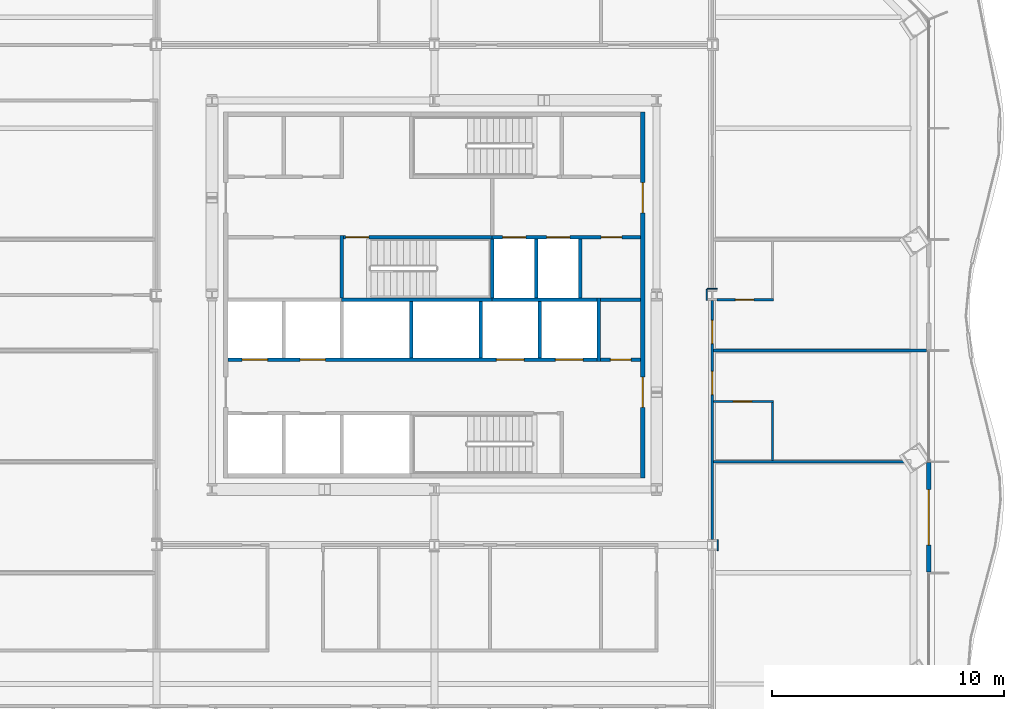
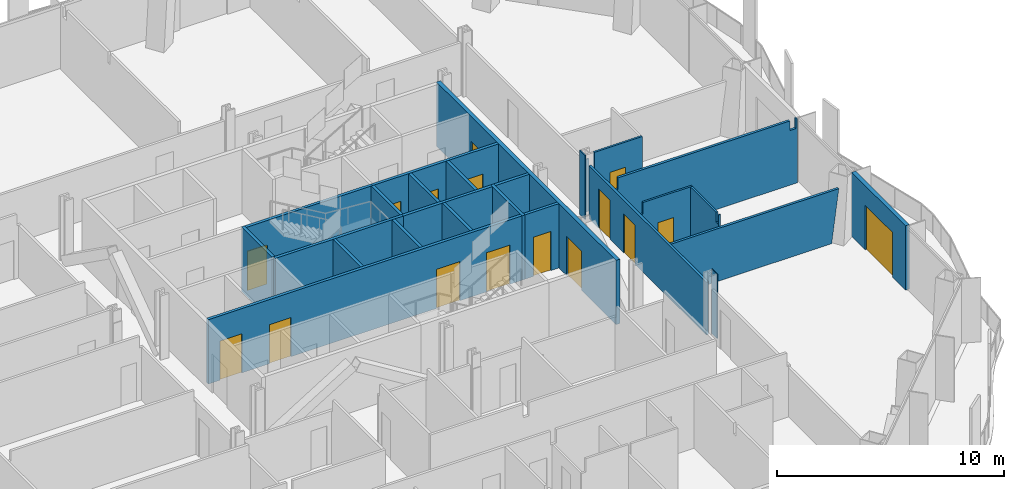
# One storey, part 10 of 20: 26 walls, 16 doors, 16 openings.
"""IFC4 building model written with IfcOpenShell, lengths in metres."""

from ifc_helpers import new_model, si_unit, direction, frame, frame_2d, origin, place, context, subcontext, project, spatial, polyline, rectangle, outline, extrude, material, layer, layer_set, type_object, element, fill, save


model = new_model("IFC4")

# Units and contexts
model_context = context("Model", 3, precision=1e-05, world=origin(), true_north=direction((0.0, 1.0)))
body_context = subcontext(model_context, "Body", "Model", "MODEL_VIEW")
ifc_project = project(units=[si_unit("LENGTHUNIT", "METRE"), si_unit("AREAUNIT", "SQUARE_METRE"), si_unit("VOLUMEUNIT", "CUBIC_METRE"), si_unit("PLANEANGLEUNIT", "RADIAN"), si_unit("MASSUNIT", "GRAM", prefix="KILO")], contexts=[model_context])

# Site, building, storey
site_placement = place(None, origin())
site = spatial("IfcSite", under=ifc_project, at=site_placement, CompositionType="ELEMENT")
building_placement = place(site_placement, origin())
building = spatial("IfcBuilding", under=site, at=building_placement, Name="Cairn Pilgrim Tower", CompositionType="ELEMENT")
storey_placement = place(building_placement, frame((0.0, 0.0, 87.0)))
storey = spatial("IfcBuildingStorey", under=building, at=storey_placement, Name="L20", CompositionType="ELEMENT", Elevation=87.0)

# Wall, opening, door
ifc_material_1 = material(Name="Bronze anodised aluminium insulated sandwich panel with mineral wool fill", Category="aluminium")
ifc_layer_1 = layer(ifc_material_1, 0.199951171875)
ifc_layer_set_1 = layer_set([ifc_layer_1], Name="BRONZE INFILL FRAME WALL 200")
wall_type_1 = type_object("IfcWallType", Name="BRONZE INFILL FRAME WALL 200", PredefinedType="NOTDEFINED", material=ifc_layer_set_1)
wall_1_placement = place(storey_placement, frame((28.550048828125, -9.570068359375, 0.0), z_axis=(0.0, 0.0, 1.0), x_axis=(0.0, 1.0, 0.0)))
wall_1 = element("IfcWall", 1, at=wall_1_placement, inside=storey, type_object=wall_type_1, Name="Bronze infill frame wall IW-E2", PredefinedType="NOTDEFINED", context=body_context, shape_type="SweptSolid", body=[
    extrude(rectangle(XDim=4.739990234375, YDim=0.199951171875, at=frame_2d((2.3701171875, 0.0))), origin(), (0.0, 0.0, 1.0), 3.449951171875),
])
opening_1_placement = place(wall_1_placement, frame((1.169677734375, 0.0, 0.0)))
opening_1 = element("IfcOpeningElement", 2, at=opening_1_placement, cuts=wall_1, Name="Opening 2020B", PredefinedType="OPENING", context=body_context, shape_type="SweptSolid", body=[
    extrude(rectangle(XDim=2.39990234375, YDim=2.39990234375, at=frame_2d((1.199951171875, 1.199951171875))), frame((0.0, 0.10986328125, 0.0), z_axis=(0.0, -1.0, 0.0), x_axis=(1.0, 0.0, 0.0)), (0.0, 0.0, 1.0), 0.219970703125),
])
ifc_material_2 = material(Name="Bronze anodised aluminium frame with tinted low-E glass", Category="aluminium")
door_type_1 = type_object("IfcDoorType", Name="BALCONY SLIDING DOOR 2400x2400", OperationType="DOUBLE_DOOR_SLIDING", PredefinedType="DOOR", material=ifc_material_2)
door_1_placement = place(opening_1_placement, origin())
door_1 = element("IfcDoor", 3, at=door_1_placement, inside=storey, type_object=door_type_1, Name="Balcony sliding door 2020B", OperationType="SINGLE_SWING_LEFT", OverallHeight=2.39990234375, OverallWidth=2.39990234375, PredefinedType="DOOR", context=body_context, shape_type="SweptSolid", body=[
    extrude(rectangle(XDim=2.39990234375, YDim=2.39990234375, at=frame_2d((1.199951171875, 1.199951171875))), frame((0.0, 0.02490234375, 0.0), z_axis=(0.0, -1.0, 0.0), x_axis=(1.0, 0.0, 0.0)), (0.0, 0.0, 1.0), 0.050048828125),
])
fill(opening_1, door_1)

# Wall, openings, doors
ifc_material_3 = material(Name="Concrete C32/40", Category="concrete")
ifc_layer_2 = layer(ifc_material_3, 0.199951171875)
ifc_layer_set_2 = layer_set([ifc_layer_2], Name="CORE OUTER WALL 200 EI 120")
wall_type_2 = type_object("IfcWallType", Name="CORE OUTER WALL 200 EI 120", PredefinedType="SOLIDWALL", material=ifc_layer_set_2)
wall_2_placement = place(storey_placement, frame((16.199951171875, -5.5, 0.0), z_axis=(0.0, 0.0, 1.0), x_axis=(0.0, 1.0, 0.0)))
wall_2 = element("IfcWall", 4, at=wall_2_placement, inside=storey, type_object=wall_type_2, Name="CW:L20:V32", PredefinedType="SOLIDWALL", context=body_context, shape_type="SweptSolid", body=[
    extrude(rectangle(XDim=15.800048828125, YDim=0.199951171875, at=frame_2d((7.89990234375, 0.0))), origin(), (0.0, 0.0, 1.0), 3.449951171875),
])
opening_2_placement = place(wall_2_placement, frame((3.050048828125, 0.0, 0.0)))
opening_2 = element("IfcOpeningElement", 5, at=opening_2_placement, cuts=wall_2, Name="Opening CD-E1", PredefinedType="OPENING", context=body_context, shape_type="SweptSolid", body=[
    extrude(rectangle(XDim=1.300048828125, YDim=2.10009765625, at=frame_2d((0.64990234375, 1.050048828125))), frame((0.0, 0.10986328125, 0.0), z_axis=(0.0, -1.0, 0.0), x_axis=(1.0, 0.0, 0.0)), (0.0, 0.0, 1.0), 0.219970703125),
])
opening_3_placement = place(wall_2_placement, frame((11.449951171875, 0.0, 0.0)))
opening_3 = element("IfcOpeningElement", 6, at=opening_3_placement, cuts=wall_2, Name="Opening CD-E2", PredefinedType="OPENING", context=body_context, shape_type="SweptSolid", body=[
    extrude(rectangle(XDim=1.300048828125, YDim=2.10009765625, at=frame_2d((0.64990234375, 1.050048828125))), frame((0.0, 0.10986328125, 0.0), z_axis=(0.0, -1.0, 0.0), x_axis=(1.0, 0.0, 0.0)), (0.0, 0.0, 1.0), 0.219970703125),
])
ifc_material_4 = material(Name="Painted steel", Category="steel")
door_type_2 = type_object("IfcDoorType", Name="CORE LOBBY DOOR 1300x2100", OperationType="DOUBLE_DOOR_SINGLE_SWING", PredefinedType="DOOR", material=ifc_material_4)
door_2_placement = place(opening_2_placement, origin())
door_2 = element("IfcDoor", 7, at=door_2_placement, inside=storey, type_object=door_type_2, Name="CD-E1", OperationType="DOUBLE_DOOR_SINGLE_SWING", OverallHeight=2.10009765625, OverallWidth=1.300048828125, PredefinedType="DOOR", context=body_context, shape_type="SweptSolid", body=[
    extrude(rectangle(XDim=1.300048828125, YDim=2.10009765625, at=frame_2d((0.64990234375, 1.050048828125))), frame((0.0, 0.02490234375, 0.0), z_axis=(0.0, -1.0, 0.0), x_axis=(1.0, 0.0, 0.0)), (0.0, 0.0, 1.0), 0.050048828125),
])
fill(opening_2, door_2)
door_3_placement = place(opening_3_placement, origin())
door_3 = element("IfcDoor", 8, at=door_3_placement, inside=storey, type_object=door_type_2, Name="CD-E2", OperationType="DOUBLE_DOOR_SINGLE_SWING", OverallHeight=2.10009765625, OverallWidth=1.300048828125, PredefinedType="DOOR", context=body_context, shape_type="SweptSolid", body=[
    extrude(rectangle(XDim=1.300048828125, YDim=2.10009765625, at=frame_2d((0.64990234375, 1.050048828125))), frame((0.0, 0.02490234375, 0.0), z_axis=(0.0, -1.0, 0.0), x_axis=(1.0, 0.0, 0.0)), (0.0, 0.0, 1.0), 0.050048828125),
])
fill(opening_3, door_3)

# Wall, opening, door
ifc_layer_3 = layer(ifc_material_3, 0.14990234375)
ifc_layer_set_3 = layer_set([ifc_layer_3], Name="CORE PARTITION 150 EI 60")
wall_type_3 = type_object("IfcWallType", Name="CORE PARTITION 150 EI 60", PredefinedType="PARTITIONING", material=ifc_layer_set_3)
wall_3_placement = place(storey_placement, frame((14.375, -0.39990234375, 0.0), z_axis=(0.0, 0.0, 1.0), x_axis=(1.0, 0.0, 0.0)))
wall_3 = element("IfcWall", 9, at=wall_3_placement, inside=storey, type_object=wall_type_3, Name="CW:L20:H04", PredefinedType="PARTITIONING", context=body_context, shape_type="SweptSolid", body=[
    extrude(rectangle(XDim=1.72509765625, YDim=0.14990234375, at=frame_2d((0.862548828125, 0.0))), origin(), (0.0, 0.0, 1.0), 3.449951171875),
])
opening_4_placement = place(wall_3_placement, frame((0.425048828125, 0.0, 0.0)))
opening_4 = element("IfcOpeningElement", 10, at=opening_4_placement, cuts=wall_3, Name="Opening RD-R2E", PredefinedType="OPENING", context=body_context, shape_type="SweptSolid", body=[
    extrude(rectangle(XDim=0.89990234375, YDim=2.10009765625, at=frame_2d((0.449951171875, 1.050048828125))), frame((0.0, 0.0849609375, 0.0), z_axis=(0.0, -1.0, 0.0), x_axis=(1.0, 0.0, 0.0)), (0.0, 0.0, 1.0), 0.169921875),
])
door_type_3 = type_object("IfcDoorType", Name="SERVICE ROOM DOOR 900x2100", OperationType="SINGLE_SWING_LEFT", PredefinedType="DOOR", material=ifc_material_4)
door_4_placement = place(opening_4_placement, origin())
door_4 = element("IfcDoor", 11, at=door_4_placement, inside=storey, type_object=door_type_3, Name="RD-R2E", OperationType="SINGLE_SWING_RIGHT", OverallHeight=2.10009765625, OverallWidth=0.89990234375, PredefinedType="DOOR", context=body_context, shape_type="SweptSolid", body=[
    extrude(rectangle(XDim=0.89990234375, YDim=2.10009765625, at=frame_2d((0.449951171875, 1.050048828125))), frame((0.0, 0.02490234375, 0.0), z_axis=(0.0, -1.0, 0.0), x_axis=(1.0, 0.0, 0.0)), (0.0, 0.0, 1.0), 0.050048828125),
])
fill(opening_4, door_4)

# Wall
wall_4_placement = place(storey_placement, frame((14.375, 2.199951171875, 0.0), z_axis=(0.0, 0.0, 1.0), x_axis=(1.0, 0.0, 0.0)))
element("IfcWall", 12, at=wall_4_placement, inside=storey, type_object=wall_type_3, Name="CW:L20:H06", PredefinedType="PARTITIONING", context=body_context, shape_type="SweptSolid", body=[
    extrude(rectangle(XDim=1.72509765625, YDim=0.14990234375, at=frame_2d((0.862548828125, 0.0))), origin(), (0.0, 0.0, 1.0), 3.449951171875),
])

# Wall, openings, doors
ifc_layer_4 = layer(ifc_material_3, 0.14990234375)
ifc_layer_set_4 = layer_set([ifc_layer_4], Name="CORE SHAFT WALL 150 EI 120")
wall_type_4 = type_object("IfcWallType", Name="CORE SHAFT WALL 150 EI 120", PredefinedType="SOLIDWALL", material=ifc_layer_set_4)
wall_5_placement = place(storey_placement, frame((-1.699951171875, -0.39990234375, 0.0), z_axis=(0.0, 0.0, 1.0), x_axis=(1.0, 0.0, 0.0)))
wall_5 = element("IfcWall", 13, at=wall_5_placement, inside=storey, type_object=wall_type_4, Name="CW:L20:H03", PredefinedType="SOLIDWALL", context=body_context, shape_type="SweptSolid", body=[
    extrude(rectangle(XDim=15.925048828125, YDim=0.14990234375, at=frame_2d((7.96240234375, 0.0))), origin(), (0.0, 0.0, 1.0), 3.449951171875),
])
opening_5_placement = place(wall_5_placement, frame((0.60009765625, 0.0, 0.0)))
opening_5 = element("IfcOpeningElement", 14, at=opening_5_placement, cuts=wall_5, Name="Opening LD-LR3", PredefinedType="OPENING", context=body_context, shape_type="SweptSolid", body=[
    extrude(rectangle(XDim=1.10009765625, YDim=2.10009765625, at=frame_2d((0.550048828125, 1.050048828125))), frame((0.0, 0.0849609375, 0.0), z_axis=(0.0, -1.0, 0.0), x_axis=(1.0, 0.0, 0.0)), (0.0, 0.0, 1.0), 0.169921875),
])
opening_6_placement = place(wall_5_placement, frame((3.10009765625, 0.0, 0.0)))
opening_6 = element("IfcOpeningElement", 15, at=opening_6_placement, cuts=wall_5, Name="Opening LD-LR4", PredefinedType="OPENING", context=body_context, shape_type="SweptSolid", body=[
    extrude(rectangle(XDim=1.10009765625, YDim=2.10009765625, at=frame_2d((0.550048828125, 1.050048828125))), frame((0.0, 0.0849609375, 0.0), z_axis=(0.0, -1.0, 0.0), x_axis=(1.0, 0.0, 0.0)), (0.0, 0.0, 1.0), 0.169921875),
])
opening_7_placement = place(wall_5_placement, frame((11.574951171875, 0.0, 0.0)))
opening_7 = element("IfcOpeningElement", 16, at=opening_7_placement, cuts=wall_5, Name="Opening LD-SV1", PredefinedType="OPENING", context=body_context, shape_type="SweptSolid", body=[
    extrude(rectangle(XDim=1.199951171875, YDim=2.10009765625, at=frame_2d((0.60009765625, 1.050048828125))), frame((0.0, 0.0849609375, 0.0), z_axis=(0.0, -1.0, 0.0), x_axis=(1.0, 0.0, 0.0)), (0.0, 0.0, 1.0), 0.169921875),
])
opening_8_placement = place(wall_5_placement, frame((14.125, 0.0, 0.0)))
opening_8 = element("IfcOpeningElement", 17, at=opening_8_placement, cuts=wall_5, Name="Opening LD-SV2", PredefinedType="OPENING", context=body_context, shape_type="SweptSolid", body=[
    extrude(rectangle(XDim=1.199951171875, YDim=2.10009765625, at=frame_2d((0.60009765625, 1.050048828125))), frame((0.0, 0.0849609375, 0.0), z_axis=(0.0, -1.0, 0.0), x_axis=(1.0, 0.0, 0.0)), (0.0, 0.0, 1.0), 0.169921875),
])
ifc_material_5 = material(Name="Stainless steel", Category="steel")
door_type_4 = type_object("IfcDoorType", Name="LIFT LANDING DOOR 1100x2100", OperationType="DOUBLE_DOOR_SLIDING", PredefinedType="DOOR", material=ifc_material_5)
door_5_placement = place(opening_5_placement, origin())
door_5 = element("IfcDoor", 18, at=door_5_placement, inside=storey, type_object=door_type_4, Name="LANDING DOOR LR3", OperationType="DOUBLE_DOOR_SLIDING", OverallHeight=2.10009765625, OverallWidth=1.10009765625, PredefinedType="DOOR", context=body_context, shape_type="SweptSolid", body=[
    extrude(rectangle(XDim=1.10009765625, YDim=2.10009765625, at=frame_2d((0.550048828125, 1.050048828125))), frame((0.0, 0.02490234375, 0.0), z_axis=(0.0, -1.0, 0.0), x_axis=(1.0, 0.0, 0.0)), (0.0, 0.0, 1.0), 0.050048828125),
])
fill(opening_5, door_5)
door_6_placement = place(opening_6_placement, origin())
door_6 = element("IfcDoor", 19, at=door_6_placement, inside=storey, type_object=door_type_4, Name="LANDING DOOR LR4", OperationType="DOUBLE_DOOR_SLIDING", OverallHeight=2.10009765625, OverallWidth=1.10009765625, PredefinedType="DOOR", context=body_context, shape_type="SweptSolid", body=[
    extrude(rectangle(XDim=1.10009765625, YDim=2.10009765625, at=frame_2d((0.550048828125, 1.050048828125))), frame((0.0, 0.02490234375, 0.0), z_axis=(0.0, -1.0, 0.0), x_axis=(1.0, 0.0, 0.0)), (0.0, 0.0, 1.0), 0.050048828125),
])
fill(opening_6, door_6)
door_type_5 = type_object("IfcDoorType", Name="LIFT LANDING DOOR 1200x2100", OperationType="DOUBLE_DOOR_SLIDING", PredefinedType="DOOR", material=ifc_material_5)
door_7_placement = place(opening_7_placement, origin())
door_7 = element("IfcDoor", 20, at=door_7_placement, inside=storey, type_object=door_type_5, Name="LANDING DOOR SV1", OperationType="DOUBLE_DOOR_SLIDING", OverallHeight=2.10009765625, OverallWidth=1.199951171875, PredefinedType="DOOR", context=body_context, shape_type="SweptSolid", body=[
    extrude(rectangle(XDim=1.199951171875, YDim=2.10009765625, at=frame_2d((0.60009765625, 1.050048828125))), frame((0.0, 0.02490234375, 0.0), z_axis=(0.0, -1.0, 0.0), x_axis=(1.0, 0.0, 0.0)), (0.0, 0.0, 1.0), 0.050048828125),
])
fill(opening_7, door_7)
door_8_placement = place(opening_8_placement, origin())
door_8 = element("IfcDoor", 21, at=door_8_placement, inside=storey, type_object=door_type_5, Name="LANDING DOOR SV2", OperationType="DOUBLE_DOOR_SLIDING", OverallHeight=2.10009765625, OverallWidth=1.199951171875, PredefinedType="DOOR", context=body_context, shape_type="SweptSolid", body=[
    extrude(rectangle(XDim=1.199951171875, YDim=2.10009765625, at=frame_2d((0.60009765625, 1.050048828125))), frame((0.0, 0.02490234375, 0.0), z_axis=(0.0, -1.0, 0.0), x_axis=(1.0, 0.0, 0.0)), (0.0, 0.0, 1.0), 0.050048828125),
])
fill(opening_8, door_8)

# Wall
wall_6_placement = place(storey_placement, frame((9.699951171875, 2.199951171875, 0.0), z_axis=(0.0, 0.0, 1.0), x_axis=(1.0, 0.0, 0.0)))
element("IfcWall", 22, at=wall_6_placement, inside=storey, type_object=wall_type_4, Name="CW:L20:H05-3", PredefinedType="SOLIDWALL", context=body_context, shape_type="SweptSolid", body=[
    extrude(rectangle(XDim=4.525146484375, YDim=0.14990234375, at=frame_2d((2.2626953125, 0.0))), origin(), (0.0, 0.0, 1.0), 3.449951171875),
])

# Wall, openings, doors
wall_7_placement = place(storey_placement, frame((9.699951171875, 4.89990234375, 0.0), z_axis=(0.0, 0.0, 1.0), x_axis=(1.0, 0.0, 0.0)))
wall_7 = element("IfcWall", 23, at=wall_7_placement, inside=storey, type_object=wall_type_4, Name="CW:L20:H08-2", PredefinedType="SOLIDWALL", context=body_context, shape_type="SweptSolid", body=[
    extrude(rectangle(XDim=6.400146484375, YDim=0.14990234375, at=frame_2d((3.2001953125, 0.0))), origin(), (0.0, 0.0, 1.0), 3.449951171875),
])
opening_9_placement = place(wall_7_placement, frame((0.449951171875, 0.0, 0.0)))
opening_9 = element("IfcOpeningElement", 24, at=opening_9_placement, cuts=wall_7, Name="Opening LD-FF1", PredefinedType="OPENING", context=body_context, shape_type="SweptSolid", body=[
    extrude(rectangle(XDim=1.0, YDim=2.10009765625, at=frame_2d((0.5, 1.050048828125))), frame((0.0, 0.0849609375, 0.0), z_axis=(0.0, -1.0, 0.0), x_axis=(1.0, 0.0, 0.0)), (0.0, 0.0, 1.0), 0.169921875),
])
opening_10_placement = place(wall_7_placement, frame((2.35009765625, 0.0, 0.0)))
opening_10 = element("IfcOpeningElement", 25, at=opening_10_placement, cuts=wall_7, Name="Opening LD-FF2", PredefinedType="OPENING", context=body_context, shape_type="SweptSolid", body=[
    extrude(rectangle(XDim=1.0, YDim=2.10009765625, at=frame_2d((0.5, 1.050048828125))), frame((0.0, 0.0849609375, 0.0), z_axis=(0.0, -1.0, 0.0), x_axis=(1.0, 0.0, 0.0)), (0.0, 0.0, 1.0), 0.169921875),
])
opening_11_placement = place(wall_7_placement, frame((4.699951171875, 0.0, 0.0)))
opening_11 = element("IfcOpeningElement", 26, at=opening_11_placement, cuts=wall_7, Name="Opening RD-R3E", PredefinedType="OPENING", context=body_context, shape_type="SweptSolid", body=[
    extrude(rectangle(XDim=0.89990234375, YDim=2.10009765625, at=frame_2d((0.449951171875, 1.050048828125))), frame((0.0, 0.0849609375, 0.0), z_axis=(0.0, -1.0, 0.0), x_axis=(1.0, 0.0, 0.0)), (0.0, 0.0, 1.0), 0.169921875),
])
door_type_6 = type_object("IfcDoorType", Name="LIFT LANDING DOOR FIRE 1000x2100", OperationType="DOUBLE_DOOR_SLIDING", PredefinedType="DOOR", material=ifc_material_5)
door_9_placement = place(opening_9_placement, origin())
door_9 = element("IfcDoor", 27, at=door_9_placement, inside=storey, type_object=door_type_6, Name="LANDING DOOR FF1", OperationType="DOUBLE_DOOR_SLIDING", OverallHeight=2.10009765625, OverallWidth=1.0, PredefinedType="DOOR", context=body_context, shape_type="SweptSolid", body=[
    extrude(rectangle(XDim=1.0, YDim=2.10009765625, at=frame_2d((0.5, 1.050048828125))), frame((0.0, 0.02490234375, 0.0), z_axis=(0.0, -1.0, 0.0), x_axis=(1.0, 0.0, 0.0)), (0.0, 0.0, 1.0), 0.050048828125),
])
fill(opening_9, door_9)
door_10_placement = place(opening_10_placement, origin())
door_10 = element("IfcDoor", 28, at=door_10_placement, inside=storey, type_object=door_type_6, Name="LANDING DOOR FF2", OperationType="DOUBLE_DOOR_SLIDING", OverallHeight=2.10009765625, OverallWidth=1.0, PredefinedType="DOOR", context=body_context, shape_type="SweptSolid", body=[
    extrude(rectangle(XDim=1.0, YDim=2.10009765625, at=frame_2d((0.5, 1.050048828125))), frame((0.0, 0.02490234375, 0.0), z_axis=(0.0, -1.0, 0.0), x_axis=(1.0, 0.0, 0.0)), (0.0, 0.0, 1.0), 0.050048828125),
])
fill(opening_10, door_10)
door_11_placement = place(opening_11_placement, origin())
door_11 = element("IfcDoor", 29, at=door_11_placement, inside=storey, type_object=door_type_3, Name="RD-R3E", OperationType="SINGLE_SWING_LEFT", OverallHeight=2.10009765625, OverallWidth=0.89990234375, PredefinedType="DOOR", context=body_context, shape_type="SweptSolid", body=[
    extrude(rectangle(XDim=0.89990234375, YDim=2.10009765625, at=frame_2d((0.449951171875, 1.050048828125))), frame((0.0, 0.02490234375, 0.0), z_axis=(0.0, -1.0, 0.0), x_axis=(1.0, 0.0, 0.0)), (0.0, 0.0, 1.0), 0.050048828125),
])
fill(opening_11, door_11)

# Walls
for number, where, z_axis, x_axis, name in (
    (30, (6.199951171875, -0.324951171875, 0.0), (0.0, 0.0, 1.0), (0.0, 1.0, 0.0), "CW:L20:V21"),
    (31, (9.199951171875, -0.324951171875, 0.0), (0.0, 0.0, 1.0), (0.0, 1.0, 0.0), "CW:L20:V23"),
):
    element("IfcWall", number, at=place(storey_placement, frame(where, z_axis=z_axis, x_axis=x_axis)), inside=storey, type_object=wall_type_4, Name=name, PredefinedType="SOLIDWALL", context=body_context, shape_type="SweptSolid", body=[
        extrude(rectangle(XDim=2.449951171875, YDim=0.14990234375, at=frame_2d((1.22509765625, 0.0))), origin(), (0.0, 0.0, 1.0), 3.449951171875),
    ])
wall_8_placement = place(storey_placement, frame((11.60009765625, 2.27490234375, 0.0), z_axis=(0.0, 0.0, 1.0), x_axis=(0.0, 1.0, 0.0)))
element("IfcWall", 32, at=wall_8_placement, inside=storey, type_object=wall_type_4, Name="CW:L20:V26", PredefinedType="SOLIDWALL", context=body_context, shape_type="SweptSolid", body=[
    extrude(rectangle(XDim=2.550048828125, YDim=0.14990234375, at=frame_2d((1.27490234375, 0.0))), origin(), (0.0, 0.0, 1.0), 3.449951171875),
])
wall_9_placement = place(storey_placement, frame((11.75, -0.324951171875, 0.0), z_axis=(0.0, 0.0, 1.0), x_axis=(0.0, 1.0, 0.0)))
element("IfcWall", 33, at=wall_9_placement, inside=storey, type_object=wall_type_4, Name="CW:L20:V27", PredefinedType="SOLIDWALL", context=body_context, shape_type="SweptSolid", body=[
    extrude(rectangle(XDim=2.449951171875, YDim=0.14990234375, at=frame_2d((1.22509765625, 0.0))), origin(), (0.0, 0.0, 1.0), 3.449951171875),
])
wall_10_placement = place(storey_placement, frame((13.5, 2.27490234375, 0.0), z_axis=(0.0, 0.0, 1.0), x_axis=(0.0, 1.0, 0.0)))
element("IfcWall", 34, at=wall_10_placement, inside=storey, type_object=wall_type_4, Name="CW:L20:V30", PredefinedType="SOLIDWALL", context=body_context, shape_type="SweptSolid", body=[
    extrude(rectangle(XDim=2.550048828125, YDim=0.14990234375, at=frame_2d((1.27490234375, 0.0))), origin(), (0.0, 0.0, 1.0), 3.449951171875),
])
wall_11_placement = place(storey_placement, frame((14.300048828125, -0.47509765625, 0.0), z_axis=(0.0, 0.0, 1.0), x_axis=(0.0, 1.0, 0.0)))
element("IfcWall", 35, at=wall_11_placement, inside=storey, type_object=wall_type_4, Name="CW:L20:V31", PredefinedType="SOLIDWALL", context=body_context, shape_type="SweptSolid", body=[
    extrude(rectangle(XDim=2.75, YDim=0.14990234375, at=frame_2d((1.375, 0.0))), origin(), (0.0, 0.0, 1.0), 3.449951171875),
])
ifc_material_6 = material(Name="Gypsum partition")
ifc_layer_5 = layer(ifc_material_6, 0.10009765625)
ifc_layer_set_5 = layer_set([ifc_layer_5], Name="PARTITION 100 DRYWALL")
wall_type_5 = type_object("IfcWallType", Name="PARTITION 100 DRYWALL", PredefinedType="PARTITIONING", material=ifc_layer_set_5)
wall_12_placement = place(storey_placement, frame((21.800048828125, -4.737548828125, 0.0), z_axis=(0.0, 0.0, 1.0), x_axis=(0.0, 1.0, 0.0)))
element("IfcWall", 36, at=wall_12_placement, inside=storey, type_object=wall_type_5, Name="PARTITION W050", PredefinedType="PARTITIONING", context=body_context, shape_type="SweptSolid", body=[
    extrude(outline(polyline([(0.0, 0.0), (2.487548828125, 0.0), (2.487548828125, 3.449951171875), (0.251220703125, 3.449951171875), (0.249267578125, 2.929931640625), (0.05126953125, 2.929931640625), (0.04931640625, 3.449951171875), (0.0, 3.449951171875), (0.0, 0.0)])), frame((0.0, 0.050048828125, 0.0), z_axis=(0.0, -1.0, 0.0), x_axis=(1.0, 0.0, 0.0)), (0.0, 0.0, 1.0), 0.10009765625),
])

# Wall, opening, door
wall_13_placement = place(storey_placement, frame((19.262451171875, -2.199951171875, 0.0), z_axis=(0.0, 0.0, 1.0), x_axis=(1.0, 0.0, 0.0)))
wall_13 = element("IfcWall", 37, at=wall_13_placement, inside=storey, type_object=wall_type_5, Name="PARTITION W052", PredefinedType="PARTITIONING", context=body_context, shape_type="SweptSolid", body=[
    extrude(outline(polyline([(0.0, 0.0), (2.587646484375, 0.0), (2.58740234375, 3.449951171875), (0.08740234375, 3.449951171875), (0.08544921875, 2.830078125), (0.0, 2.830078125), (0.0, 0.0)])), frame((0.0, 0.050048828125, 0.0), z_axis=(0.0, -1.0, 0.0), x_axis=(1.0, 0.0, 0.0)), (0.0, 0.0, 1.0), 0.10009765625),
])
opening_12_placement = place(wall_13_placement, frame((0.83740234375, 0.0, 0.0)))
opening_12 = element("IfcOpeningElement", 38, at=opening_12_placement, cuts=wall_13, Name="Opening 2021E", PredefinedType="OPENING", context=body_context, shape_type="SweptSolid", body=[
    extrude(rectangle(XDim=0.800048828125, YDim=2.10009765625, at=frame_2d((0.39990234375, 1.050048828125))), frame((0.0, 0.06005859375, 0.0), z_axis=(0.0, -1.0, 0.0), x_axis=(1.0, 0.0, 0.0)), (0.0, 0.0, 1.0), 0.1201171875),
])
ifc_material_7 = material(Name="Timber door leaf", Category="wood")
door_type_7 = type_object("IfcDoorType", Name="DOOR 800x2100", OperationType="NOTDEFINED", PredefinedType="DOOR", material=ifc_material_7)
door_12_placement = place(opening_12_placement, frame((0.800048828125, 0.0, 0.0), z_axis=(0.0, 0.0, 1.0), x_axis=(-1.0, 0.0, 0.0)))
door_12 = element("IfcDoor", 39, at=door_12_placement, inside=storey, type_object=door_type_7, Name="DOOR 2021E", OperationType="SINGLE_SWING_LEFT", OverallHeight=2.10009765625, OverallWidth=0.800048828125, PredefinedType="DOOR", context=body_context, shape_type="SweptSolid", body=[
    extrude(rectangle(XDim=0.800048828125, YDim=2.10009765625, at=frame_2d((0.39990234375, 1.050048828125))), frame((0.0, 0.02490234375, 0.0), z_axis=(0.0, -1.0, 0.0), x_axis=(1.0, 0.0, 0.0)), (0.0, 0.0, 1.0), 0.050048828125),
])
fill(opening_12, door_12)

wall_14_placement = place(storey_placement, frame((19.412109375, 2.199951171875, 0.0), z_axis=(0.0, 0.0, 1.0), x_axis=(1.0, 0.0, 0.0)))
wall_14 = element("IfcWall", 40, at=wall_14_placement, inside=storey, type_object=wall_type_5, Name="PARTITION W057", PredefinedType="PARTITIONING", context=body_context, shape_type="SweptSolid", body=[
    extrude(rectangle(XDim=2.43798828125, YDim=0.10009765625, at=frame_2d((1.218994140625, 0.0))), origin(), (0.0, 0.0, 1.0), 3.449951171875),
])
opening_13_placement = place(wall_14_placement, frame((0.7880859375, 0.0, 0.0)))
opening_13 = element("IfcOpeningElement", 41, at=opening_13_placement, cuts=wall_14, Name="Opening 2022E", PredefinedType="OPENING", context=body_context, shape_type="SweptSolid", body=[
    extrude(rectangle(XDim=0.800048828125, YDim=2.10009765625, at=frame_2d((0.39990234375, 1.050048828125))), frame((0.0, 0.06005859375, 0.0), z_axis=(0.0, -1.0, 0.0), x_axis=(1.0, 0.0, 0.0)), (0.0, 0.0, 1.0), 0.1201171875),
])
door_13_placement = place(opening_13_placement, origin())
door_13 = element("IfcDoor", 42, at=door_13_placement, inside=storey, type_object=door_type_7, Name="DOOR 2022E", OperationType="SINGLE_SWING_LEFT", OverallHeight=2.10009765625, OverallWidth=0.800048828125, PredefinedType="DOOR", context=body_context, shape_type="SweptSolid", body=[
    extrude(rectangle(XDim=0.800048828125, YDim=2.10009765625, at=frame_2d((0.39990234375, 1.050048828125))), frame((0.0, 0.02490234375, 0.0), z_axis=(0.0, -1.0, 0.0), x_axis=(1.0, 0.0, 0.0)), (0.0, 0.0, 1.0), 0.050048828125),
])
fill(opening_13, door_13)

# Wall, openings, doors
ifc_layer_6 = layer(ifc_material_6, 0.125)
ifc_layer_set_6 = layer_set([ifc_layer_6], Name="PARTITION 125 DRYWALL EI 60")
wall_type_6 = type_object("IfcWallType", Name="PARTITION 125 DRYWALL EI 60", PredefinedType="PARTITIONING", material=ifc_layer_set_6)
wall_15_placement = place(storey_placement, frame((19.199951171875, -8.1630859375, 0.0), z_axis=(0.0, 0.0, 1.0), x_axis=(0.0, 1.0, 0.0)))
wall_15 = element("IfcWall", 43, at=wall_15_placement, inside=storey, type_object=wall_type_6, Name="PARTITION W045", PredefinedType="PARTITIONING", context=body_context, shape_type="SweptSolid", body=[
    extrude(rectangle(XDim=10.326171875, YDim=0.125, at=frame_2d((5.1630859375, 0.0))), origin(), (0.0, 0.0, 1.0), 2.830078125),
])
opening_14_placement = place(wall_15_placement, frame((6.262939453125, 0.0, 0.0)))
opening_14 = element("IfcOpeningElement", 44, at=opening_14_placement, cuts=wall_15, Name="Opening 2021", PredefinedType="OPENING", context=body_context, shape_type="SweptSolid", body=[
    extrude(rectangle(XDim=1.0, YDim=2.10009765625, at=frame_2d((0.5, 1.050048828125))), frame((0.0, 0.072509765625, 0.0), z_axis=(0.0, -1.0, 0.0), x_axis=(1.0, 0.0, 0.0)), (0.0, 0.0, 1.0), 0.14501953125),
])
opening_15_placement = place(wall_15_placement, frame((8.462890625, 0.0, 0.0)))
opening_15 = element("IfcOpeningElement", 45, at=opening_15_placement, cuts=wall_15, Name="Opening 2022", PredefinedType="OPENING", context=body_context, shape_type="SweptSolid", body=[
    extrude(rectangle(XDim=1.0, YDim=2.10009765625, at=frame_2d((0.5, 1.050048828125))), frame((0.0, 0.072509765625, 0.0), z_axis=(0.0, -1.0, 0.0), x_axis=(1.0, 0.0, 0.0)), (0.0, 0.0, 1.0), 0.14501953125),
])
door_type_8 = type_object("IfcDoorType", Name="ACCESSIBLE DOOR 1000x2100 FD30S", OperationType="NOTDEFINED", PredefinedType="DOOR", material=ifc_material_7)
door_14_placement = place(opening_14_placement, frame((1.0, 0.0, 0.0), z_axis=(0.0, 0.0, 1.0), x_axis=(-1.0, 0.0, 0.0)))
door_14 = element("IfcDoor", 46, at=door_14_placement, inside=storey, type_object=door_type_8, Name="DOOR 2021", OperationType="SINGLE_SWING_RIGHT", OverallHeight=2.10009765625, OverallWidth=1.0, PredefinedType="DOOR", context=body_context, shape_type="SweptSolid", body=[
    extrude(rectangle(XDim=1.0, YDim=2.10009765625, at=frame_2d((0.5, 1.050048828125))), frame((0.0, 0.02490234375, 0.0), z_axis=(0.0, -1.0, 0.0), x_axis=(1.0, 0.0, 0.0)), (0.0, 0.0, 1.0), 0.050048828125),
])
fill(opening_14, door_14)
door_15_placement = place(opening_15_placement, frame((1.0, 0.0, 0.0), z_axis=(0.0, 0.0, 1.0), x_axis=(-1.0, 0.0, 0.0)))
door_15 = element("IfcDoor", 47, at=door_15_placement, inside=storey, type_object=door_type_8, Name="DOOR 2022", OperationType="SINGLE_SWING_RIGHT", OverallHeight=2.10009765625, OverallWidth=1.0, PredefinedType="DOOR", context=body_context, shape_type="SweptSolid", body=[
    extrude(rectangle(XDim=1.0, YDim=2.10009765625, at=frame_2d((0.5, 1.050048828125))), frame((0.0, 0.02490234375, 0.0), z_axis=(0.0, -1.0, 0.0), x_axis=(1.0, 0.0, 0.0)), (0.0, 0.0, 1.0), 0.050048828125),
])
fill(opening_15, door_15)

# Walls
wall_16_placement = place(storey_placement, frame((19.262451171875, -4.800048828125, 0.0), z_axis=(0.0, 0.0, 1.0), x_axis=(1.0, 0.0, 0.0)))
element("IfcWall", 48, at=wall_16_placement, inside=storey, type_object=wall_type_6, Name="PARTITION W049", PredefinedType="PARTITIONING", context=body_context, shape_type="SweptSolid", body=[
    extrude(outline(polyline([(0.0, 0.0), (8.154052734375, 0.0), (8.264892578125, 0.862548828125), (8.3759765625, 1.72509765625), (8.48681640625, 2.58740234375), (8.51806640625, 2.830078125), (0.0, 2.830078125), (0.0, 2.58740234375), (0.0, 1.72509765625), (0.0, 0.862548828125), (0.0, 0.0)])), frame((0.0, 0.0625, 0.0), z_axis=(0.0, -1.0, 0.0), x_axis=(1.0, 0.0, 0.0)), (0.0, 0.0, 1.0), 0.125),
])
wall_17_placement = place(storey_placement, frame((19.262451171875, 0.0, 0.0), z_axis=(0.0, 0.0, 1.0), x_axis=(1.0, 0.0, 0.0)))
element("IfcWall", 49, at=wall_17_placement, inside=storey, type_object=wall_type_6, Name="PARTITION W056", PredefinedType="PARTITIONING", context=body_context, shape_type="SweptSolid", body=[
    extrude(outline(polyline([(0.0, 0.0), (9.1875, 0.0), (9.1875, 3.449951171875), (9.10791015625, 3.449951171875), (9.10595703125, 2.929931640625), (8.80810546875, 2.929931640625), (8.805908203125, 3.449951171875), (0.08740234375, 3.449951171875), (0.08544921875, 2.830078125), (0.0, 2.830078125), (0.0, 0.0)])), frame((0.0, 0.0625, 0.0), z_axis=(0.0, -1.0, 0.0), x_axis=(1.0, 0.0, 0.0)), (0.0, 0.0, 1.0), 0.125),
])
ifc_layer_7 = layer(ifc_material_6, 0.050048828125)
ifc_layer_set_7 = layer_set([ifc_layer_7], Name="PARTITION 50 DRYWALL")
wall_type_7 = type_object("IfcWallType", Name="PARTITION 50 DRYWALL", PredefinedType="PARTITIONING", material=ifc_layer_set_7)
wall_18_placement = place(storey_placement, frame((18.988037109375, 2.662109375, 0.0), z_axis=(0.0, 0.0, 1.0), x_axis=(1.0, 0.0, 0.0)))
element("IfcWall", 50, at=wall_18_placement, inside=storey, type_object=wall_type_7, Name="COLUMN CASING WC12", PredefinedType="PARTITIONING", context=body_context, shape_type="SweptSolid", body=[
    extrude(rectangle(XDim=0.424072265625, YDim=0.050048828125, at=frame_2d((0.2119140625, 0.0))), origin(), (0.0, 0.0, 1.0), 2.830078125),
])
ifc_layer_8 = layer(ifc_material_6, 0.050048828125)
ifc_layer_set_8 = layer_set([ifc_layer_8], Name="PARTITION 50 DRYWALL EI 60")
wall_type_8 = type_object("IfcWallType", Name="PARTITION 50 DRYWALL EI 60", PredefinedType="PARTITIONING", material=ifc_layer_set_8)
for number, where, z_axis, x_axis, name in (
    (51, (19.43701171875, -8.636962890625, 0.0), (0.0, 0.0, 1.0), (0.0, 1.0, 0.0), "COLUMN CASING WC02"),
    (52, (18.962890625, 2.1630859375, 0.0), (0.0, 0.0, 1.0), (0.0, 1.0, 0.0), "COLUMN CASING WC03"),
):
    element("IfcWall", number, at=place(storey_placement, frame(where, z_axis=z_axis, x_axis=x_axis)), inside=storey, type_object=wall_type_8, Name=name, PredefinedType="PARTITIONING", context=body_context, shape_type="SweptSolid", body=[
        extrude(rectangle(XDim=0.473876953125, YDim=0.050048828125, at=frame_2d((0.23681640625, 0.0))), origin(), (0.0, 0.0, 1.0), 3.449951171875),
    ])
ifc_material_8 = material(Name="Concrete C35/45", Category="concrete")
ifc_layer_9 = layer(ifc_material_8, 0.14990234375)
ifc_layer_set_9 = layer_set([ifc_layer_9], Name="STAIR SHAFT WALL 150 EI 120")
wall_type_9 = type_object("IfcWallType", Name="STAIR SHAFT WALL 150 EI 120", PredefinedType="SOLIDWALL", material=ifc_layer_set_9)
wall_19_placement = place(storey_placement, frame((3.199951171875, 2.199951171875, 0.0), z_axis=(0.0, 0.0, 1.0), x_axis=(1.0, 0.0, 0.0)))
element("IfcWall", 53, at=wall_19_placement, inside=storey, type_object=wall_type_9, Name="CW:L20:H05-2", PredefinedType="SOLIDWALL", context=body_context, shape_type="SweptSolid", body=[
    extrude(rectangle(XDim=6.5, YDim=0.14990234375, at=frame_2d((3.25, 0.0))), origin(), (0.0, 0.0, 1.0), 3.449951171875),
])

# Wall, opening, door
wall_20_placement = place(storey_placement, frame((3.27490234375, 4.89990234375, 0.0), z_axis=(0.0, 0.0, 1.0), x_axis=(1.0, 0.0, 0.0)))
wall_20 = element("IfcWall", 54, at=wall_20_placement, inside=storey, type_object=wall_type_9, Name="CW:L20:H08-1", PredefinedType="SOLIDWALL", context=body_context, shape_type="SweptSolid", body=[
    extrude(rectangle(XDim=6.425048828125, YDim=0.14990234375, at=frame_2d((3.21240234375, 0.0))), origin(), (0.0, 0.0, 1.0), 3.449951171875),
])
opening_16_placement = place(wall_20_placement, frame((0.10009765625, 0.0, 0.0)))
opening_16 = element("IfcOpeningElement", 55, at=opening_16_placement, cuts=wall_20, Name="Opening SD-B", PredefinedType="OPENING", context=body_context, shape_type="SweptSolid", body=[
    extrude(rectangle(XDim=1.0, YDim=2.10009765625, at=frame_2d((0.5, 1.050048828125))), frame((0.0, 0.0849609375, 0.0), z_axis=(0.0, -1.0, 0.0), x_axis=(1.0, 0.0, 0.0)), (0.0, 0.0, 1.0), 0.169921875),
])
door_type_9 = type_object("IfcDoorType", Name="STAIR DOOR FD60S 1000x2100", OperationType="SINGLE_SWING_LEFT", PredefinedType="DOOR", material=ifc_material_4)
door_16_placement = place(opening_16_placement, origin())
door_16 = element("IfcDoor", 56, at=door_16_placement, inside=storey, type_object=door_type_9, Name="SD-B", OperationType="SINGLE_SWING_RIGHT", OverallHeight=2.10009765625, OverallWidth=1.0, PredefinedType="DOOR", context=body_context, shape_type="SweptSolid", body=[
    extrude(rectangle(XDim=1.0, YDim=2.10009765625, at=frame_2d((0.5, 1.050048828125))), frame((0.0, 0.02490234375, 0.0), z_axis=(0.0, -1.0, 0.0), x_axis=(1.0, 0.0, 0.0)), (0.0, 0.0, 1.0), 0.050048828125),
])
fill(opening_16, door_16)

# Walls
wall_21_placement = place(storey_placement, frame((3.199951171875, 2.27490234375, 0.0), z_axis=(0.0, 0.0, 1.0), x_axis=(0.0, 1.0, 0.0)))
element("IfcWall", 57, at=wall_21_placement, inside=storey, type_object=wall_type_9, Name="CW:L20:V18", PredefinedType="SOLIDWALL", context=body_context, shape_type="SweptSolid", body=[
    extrude(rectangle(XDim=2.7001953125, YDim=0.14990234375, at=frame_2d((1.35009765625, 0.0))), origin(), (0.0, 0.0, 1.0), 3.449951171875),
])
wall_22_placement = place(storey_placement, frame((9.699951171875, 2.27490234375, 0.0), z_axis=(0.0, 0.0, 1.0), x_axis=(0.0, 1.0, 0.0)))
element("IfcWall", 58, at=wall_22_placement, inside=storey, type_object=wall_type_9, Name="CW:L20:V24", PredefinedType="SOLIDWALL", context=body_context, shape_type="SweptSolid", body=[
    extrude(rectangle(XDim=2.550048828125, YDim=0.14990234375, at=frame_2d((1.27490234375, 0.0))), origin(), (0.0, 0.0, 1.0), 3.449951171875),
])

save(model, "model.ifc")
